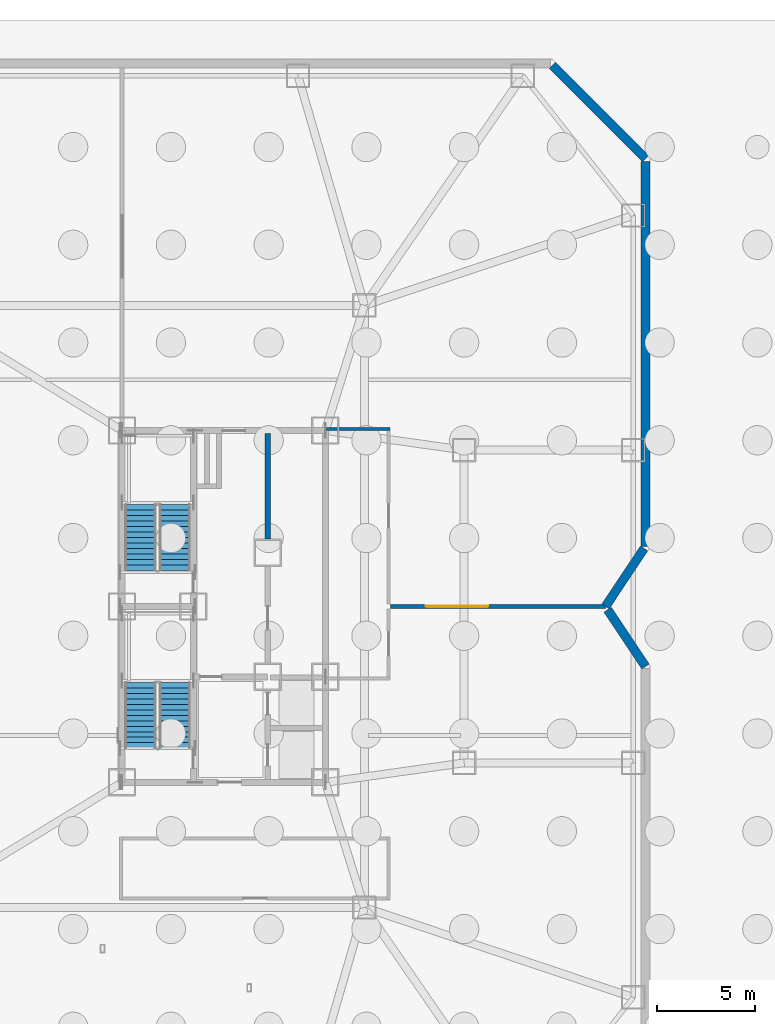
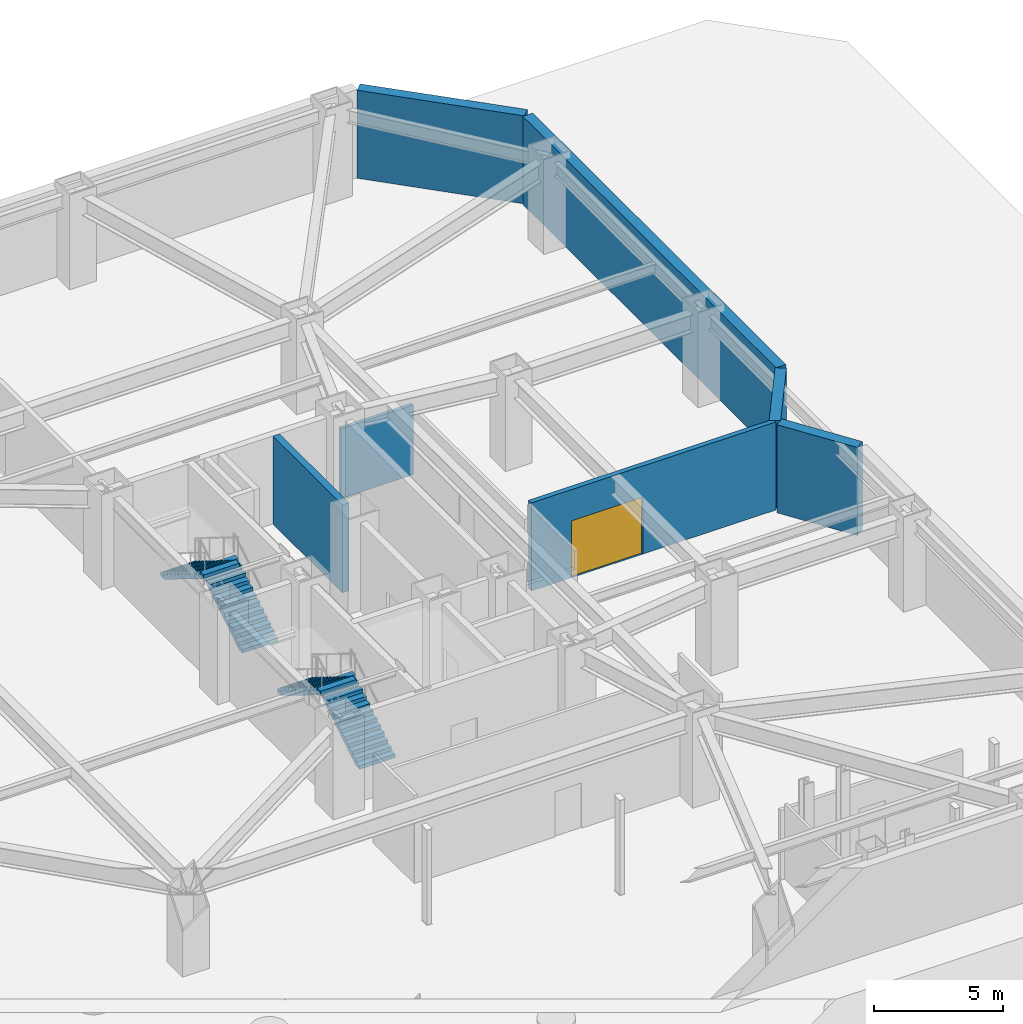
# One storey, part 11 of 15: 7 walls, 4 stair flights, 1 door, 1 opening, 2 elements without a shape of their own.
"""IFC4 building model written with IfcOpenShell, lengths in metres."""

from ifc_helpers import new_model, si_unit, direction, frame, frame_2d, origin, place, context, subcontext, project, spatial, polyline, rectangle, outline, extrude, material, layer, layer_set, type_object, element, fill, aggregate, save


model = new_model("IFC4")

# Units and contexts
model_context = context("Model", 3, precision=1e-05, world=origin(), true_north=direction((0.0, 1.0)))
body_context = subcontext(model_context, "Body", "Model", "MODEL_VIEW")
ifc_project = project(units=[si_unit("LENGTHUNIT", "METRE"), si_unit("AREAUNIT", "SQUARE_METRE"), si_unit("VOLUMEUNIT", "CUBIC_METRE"), si_unit("PLANEANGLEUNIT", "RADIAN"), si_unit("MASSUNIT", "GRAM", prefix="KILO")], contexts=[model_context])

# Site, building, storey
site_placement = place(None, origin())
site = spatial("IfcSite", under=ifc_project, at=site_placement, CompositionType="ELEMENT")
building_placement = place(site_placement, origin())
building = spatial("IfcBuilding", under=site, at=building_placement, Name="Khamvora Tower", CompositionType="ELEMENT")
storey_placement = place(building_placement, frame((0.0, 0.0, -9.0)))
storey = spatial("IfcBuildingStorey", under=building, at=storey_placement, Name="B2", CompositionType="ELEMENT", Elevation=-9.0)

# Walls
ifc_material_1 = material(Name="Concrete C50/60", Category="concrete")
ifc_layer_1 = layer(ifc_material_1, 0.300048828125)
ifc_layer_set_1 = layer_set([ifc_layer_1], Name="Concrete C50/60")
wall_type_1 = type_object("IfcWallType", Name="WAL-CORE-300", PredefinedType="SHEAR", material=ifc_layer_set_1)
wall_1_placement = place(storey_placement, frame((36.449951171875, 31.449951171875, 0.0), z_axis=(0.0, 0.0, 1.0), x_axis=(0.0, 1.0, 0.0)))
element("IfcWall", 1, at=wall_1_placement, inside=storey, type_object=wall_type_1, Name="B2 central core lift bank north wall", PredefinedType="SHEAR", context=body_context, shape_type="SweptSolid", body=[
    extrude(rectangle(XDim=5.39599609375, YDim=0.300048828125, at=frame_2d((2.697998046875, 0.0))), origin(), (0.0, 0.0, 1.0), 4.179931640625),
])
ifc_material_2 = material(Name="Fire-Rated Drywall and Steel Stud", Category="steel")
ifc_layer_2 = layer(ifc_material_2, 0.14990234375)
ifc_layer_set_2 = layer_set([ifc_layer_2], Name="Fire-Rated Drywall and Steel Stud")
wall_type_2 = type_object("IfcWallType", Name="WAL-CORR-150", PredefinedType="STANDARD", material=ifc_layer_set_2)
wall_2_placement = place(storey_placement, frame((42.699951171875, 37.0849609375, 0.0), z_axis=(0.0, 0.0, 1.0), x_axis=(-1.0, 0.0, 0.0)))
element("IfcWall", 2, at=wall_2_placement, inside=storey, type_object=wall_type_2, Name="B2 interior partition wall 009", PredefinedType="STANDARD", context=body_context, shape_type="SweptSolid", body=[
    extrude(rectangle(XDim=3.242919921875, YDim=0.14990234375, at=frame_2d((1.62158203125, 0.0))), origin(), (0.0, 0.0, 1.0), 3.31494140625),
])
ifc_material_3 = material(Name="Concrete C40/50", Category="concrete")
ifc_layer_3 = layer(ifc_material_3, 0.449951171875)
ifc_layer_set_3 = layer_set([ifc_layer_3], Name="Concrete C40/50")
wall_type_3 = type_object("IfcWallType", Name="WAL-RET-450", PredefinedType="USERDEFINED", material=ifc_layer_set_3)
wall_3_placement = place(storey_placement, frame((51.013916015625, 55.66796875, 0.0), z_axis=(0.0, 0.0, 1.0), x_axis=(0.707106781187, -0.707106781187, 0.0)))
element("IfcWall", 3, at=wall_3_placement, inside=storey, type_object=wall_type_3, Name="B2 perimeter retaining wall 08.1", ObjectType="RETAININGWALL", PredefinedType="USERDEFINED", context=body_context, shape_type="SweptSolid", body=[
    extrude(rectangle(XDim=6.733154296875, YDim=0.449951171875, at=frame_2d((3.36669921875, 0.0))), origin(), (0.0, 0.0, 1.0), 4.179931640625),
])
wall_4_placement = place(storey_placement, frame((55.77490234375, 50.756103515625, 0.0), z_axis=(0.0, 0.0, 1.0), x_axis=(0.0, -1.0, 0.0)))
element("IfcWall", 4, at=wall_4_placement, inside=storey, type_object=wall_type_3, Name="B2 perimeter retaining wall 09.1", ObjectType="RETAININGWALL", PredefinedType="USERDEFINED", context=body_context, shape_type="SweptSolid", body=[
    extrude(rectangle(XDim=19.68798828125, YDim=0.449951171875, at=frame_2d((9.843994140625, 0.0))), origin(), (0.0, 0.0, 1.0), 4.179931640625),
])
wall_5_placement = place(storey_placement, frame((55.7099609375, 30.970947265625, 0.0), z_axis=(0.0, 0.0, 1.0), x_axis=(-0.554573947075, -0.832134446604, 0.0)))
element("IfcWall", 5, at=wall_5_placement, inside=storey, type_object=wall_type_3, Name="B2 perimeter retaining wall 10.1", ObjectType="RETAININGWALL", PredefinedType="USERDEFINED", context=body_context, shape_type="SweptSolid", body=[
    extrude(rectangle(XDim=3.5703125, YDim=0.449951171875, at=frame_2d((1.78515625, 0.0))), origin(), (0.0, 0.0, 1.0), 4.179931640625),
])
wall_6_placement = place(storey_placement, frame((53.840087890625, 27.8349609375, 0.0), z_axis=(0.0, 0.0, 1.0), x_axis=(0.554587147378, -0.832125649144, 0.0)))
element("IfcWall", 6, at=wall_6_placement, inside=storey, type_object=wall_type_3, Name="B2 perimeter retaining wall 11.1", ObjectType="RETAININGWALL", PredefinedType="USERDEFINED", context=body_context, shape_type="SweptSolid", body=[
    extrude(rectangle(XDim=3.48876953125, YDim=0.449951171875, at=frame_2d((1.744384765625, 0.0))), origin(), (0.0, 0.0, 1.0), 4.179931640625),
])

# Wall, opening, door
ifc_material_4 = material(Name="Concrete C35/45", Category="concrete")
ifc_layer_4 = layer(ifc_material_4, 0.219970703125)
ifc_layer_set_4 = layer_set([ifc_layer_4], Name="Concrete C35/45")
wall_type_4 = type_object("IfcWallType", Name="WAL-VGATE-220", PredefinedType="STANDARD", material=ifc_layer_set_4)
wall_7_placement = place(storey_placement, frame((42.735107421875, 28.0, 0.0), z_axis=(0.0, 0.0, 1.0), x_axis=(1.0, 0.0, 0.0)))
wall_7 = element("IfcWall", 7, at=wall_7_placement, inside=storey, type_object=wall_type_4, Name="B2 east parking compartment shutter wall", PredefinedType="STANDARD", context=body_context, shape_type="SweptSolid", body=[
    extrude(rectangle(XDim=10.98779296875, YDim=0.219970703125, at=frame_2d((5.493896484375, 0.0))), origin(), (0.0, 0.0, 1.0), 4.179931640625),
])
opening_placement = place(wall_7_placement, frame((1.800048828125, 0.0, 0.0)))
opening = element("IfcOpeningElement", 8, at=opening_placement, cuts=wall_7, Name="Opening VD-03", PredefinedType="OPENING", context=body_context, shape_type="SweptSolid", body=[
    extrude(rectangle(XDim=3.199951171875, YDim=2.699951171875, at=frame_2d((1.60009765625, 1.35009765625))), frame((0.0, 0.119873046875, 0.0), z_axis=(0.0, -1.0, 0.0), x_axis=(1.0, 0.0, 0.0)), (0.0, 0.0, 1.0), 0.239990234375),
])
ifc_material_5 = material(Name="Galvanised Steel S355JR", Category="steel")
door_type = type_object("IfcDoorType", Name="DOR-VEH-3200", OperationType="ROLLINGUP", PredefinedType="GATE", material=ifc_material_5)
door_placement = place(opening_placement, origin())
door = element("IfcDoor", 9, at=door_placement, inside=storey, type_object=door_type, Name="B2 east parking zone security roller shutter", OperationType="ROLLINGUP", OverallHeight=2.699951171875, OverallWidth=3.199951171875, PredefinedType="GATE", context=body_context, shape_type="SweptSolid", body=[
    extrude(rectangle(XDim=3.199951171875, YDim=2.699951171875, at=frame_2d((1.60009765625, 1.35009765625))), frame((0.0, 0.02490234375, 0.0), z_axis=(0.0, -1.0, 0.0), x_axis=(1.0, 0.0, 0.0)), (0.0, 0.0, 1.0), 0.050048828125),
])
fill(opening, door)

# Stair, stair flights
stair_type_1 = type_object("IfcStairType", Name="STR-ST-01", PredefinedType="HALF_TURN_STAIR", material=ifc_material_3)
stair_1_placement = place(storey_placement, origin())
stair_1 = element("IfcStair", 10, at=stair_1_placement, inside=storey, type_object=stair_type_1, Name="B2 South Tower Exit Stair ST-01", PredefinedType="HALF_TURN_STAIR")
stair_flight_type_1 = type_object("IfcStairFlightType", Name="STF-ST-01", PredefinedType="STRAIGHT", material=ifc_material_3)
stair_flight_1_placement = place(storey_placement, frame((31.699951171875, 20.75, 0.0), z_axis=(0.0, 0.0, 1.0), x_axis=(0.0, 1.0, 0.0)))
stair_flight_1 = element("IfcStairFlight", 11, at=stair_flight_1_placement, type_object=stair_flight_type_1, Name="ST-01 flight 1", NumberOfRisers=13, NumberOfTreads=12, PredefinedType="STRAIGHT", RiserHeight=0.173076923, TreadLength=0.28, context=body_context, shape_type="SweptSolid", body=[
    extrude(outline(polyline([(0.0, 0.0), (0.0, 0.173095703125), (0.280029296875, 0.173095703125), (0.280029296875, 0.34619140625), (0.56005859375, 0.34619140625), (0.56005859375, 0.519287109375), (0.840087890625, 0.519287109375), (0.840087890625, 0.6923828125), (1.1201171875, 0.6923828125), (1.1201171875, 0.865478515625), (1.39990234375, 0.865478515625), (1.39990234375, 1.03857421875), (1.679931640625, 1.03857421875), (1.679931640625, 1.21142578125), (1.9599609375, 1.21142578125), (1.9599609375, 1.384521484375), (2.239990234375, 1.384521484375), (2.239990234375, 1.5576171875), (2.52001953125, 1.5576171875), (2.52001953125, 1.730712890625), (2.800048828125, 1.730712890625), (2.800048828125, 1.90380859375), (3.080078125, 1.90380859375), (3.080078125, 2.076904296875), (3.360107421875, 2.076904296875), (3.360107421875, 2.25), (3.360107421875, 1.900634765625), (0.28515625, 0.0), (0.0, 0.0)])), frame((0.0, 0.800048828125, 0.0), z_axis=(0.0, -1.0, 0.0), x_axis=(1.0, 0.0, 0.0)), (0.0, 0.0, 1.0), 1.60009765625),
])
stair_flight_2_placement = place(storey_placement, frame((29.949951171875, 24.110107421875, 2.25), z_axis=(0.0, 0.0, 1.0), x_axis=(0.0, -1.0, 0.0)))
stair_flight_2 = element("IfcStairFlight", 12, at=stair_flight_2_placement, type_object=stair_flight_type_1, Name="ST-01 flight 2", NumberOfRisers=13, NumberOfTreads=12, PredefinedType="STRAIGHT", RiserHeight=0.173076923, TreadLength=0.28, context=body_context, shape_type="SweptSolid", body=[
    extrude(outline(polyline([(0.0, 0.0), (0.0, 0.173095703125), (0.280029296875, 0.173095703125), (0.280029296875, 0.34619140625), (0.56005859375, 0.34619140625), (0.56005859375, 0.519287109375), (0.840087890625, 0.519287109375), (0.840087890625, 0.6923828125), (1.1201171875, 0.6923828125), (1.1201171875, 0.865478515625), (1.39990234375, 0.865478515625), (1.39990234375, 1.03857421875), (1.679931640625, 1.03857421875), (1.679931640625, 1.21142578125), (1.9599609375, 1.21142578125), (1.9599609375, 1.384521484375), (2.239990234375, 1.384521484375), (2.239990234375, 1.5576171875), (2.52001953125, 1.5576171875), (2.52001953125, 1.730712890625), (2.800048828125, 1.730712890625), (2.800048828125, 1.90380859375), (3.080078125, 1.90380859375), (3.080078125, 2.076904296875), (3.360107421875, 2.076904296875), (3.360107421875, 2.25), (3.360107421875, 1.900634765625), (0.28515625, 0.0), (0.0, 0.0)])), frame((0.0, 0.800048828125, 0.0), z_axis=(0.0, -1.0, 0.0), x_axis=(1.0, 0.0, 0.0)), (0.0, 0.0, 1.0), 1.60009765625),
])
aggregate(stair_1, [stair_flight_1, stair_flight_2])

stair_type_2 = type_object("IfcStairType", Name="STR-ST-02", PredefinedType="HALF_TURN_STAIR", material=ifc_material_3)
stair_2_placement = place(storey_placement, origin())
stair_2 = element("IfcStair", 13, at=stair_2_placement, inside=storey, type_object=stair_type_2, Name="B2 North Tower Exit Stair ST-02", PredefinedType="HALF_TURN_STAIR")
stair_flight_type_2 = type_object("IfcStairFlightType", Name="STF-ST-02", PredefinedType="STRAIGHT", material=ifc_material_3)
stair_flight_3_placement = place(storey_placement, frame((31.699951171875, 29.85009765625, 0.0), z_axis=(0.0, 0.0, 1.0), x_axis=(0.0, 1.0, 0.0)))
stair_flight_3 = element("IfcStairFlight", 14, at=stair_flight_3_placement, type_object=stair_flight_type_2, Name="ST-02 flight 1", NumberOfRisers=13, NumberOfTreads=12, PredefinedType="STRAIGHT", RiserHeight=0.173076923, TreadLength=0.28, context=body_context, shape_type="SweptSolid", body=[
    extrude(outline(polyline([(0.0, 0.0), (0.0, 0.173095703125), (0.280029296875, 0.173095703125), (0.280029296875, 0.34619140625), (0.56005859375, 0.34619140625), (0.56005859375, 0.519287109375), (0.840087890625, 0.519287109375), (0.840087890625, 0.6923828125), (1.1201171875, 0.6923828125), (1.1201171875, 0.865478515625), (1.39990234375, 0.865478515625), (1.39990234375, 1.03857421875), (1.679931640625, 1.03857421875), (1.679931640625, 1.21142578125), (1.9599609375, 1.21142578125), (1.9599609375, 1.384521484375), (2.239990234375, 1.384521484375), (2.239990234375, 1.5576171875), (2.52001953125, 1.5576171875), (2.52001953125, 1.730712890625), (2.800048828125, 1.730712890625), (2.800048828125, 1.90380859375), (3.080078125, 1.90380859375), (3.080078125, 2.076904296875), (3.360107421875, 2.076904296875), (3.360107421875, 2.25), (3.360107421875, 1.900634765625), (0.28515625, 0.0), (0.0, 0.0)])), frame((0.0, 0.800048828125, 0.0), z_axis=(0.0, -1.0, 0.0), x_axis=(1.0, 0.0, 0.0)), (0.0, 0.0, 1.0), 1.60009765625),
])
stair_flight_4_placement = place(storey_placement, frame((29.949951171875, 33.2099609375, 2.25), z_axis=(0.0, 0.0, 1.0), x_axis=(0.0, -1.0, 0.0)))
stair_flight_4 = element("IfcStairFlight", 15, at=stair_flight_4_placement, type_object=stair_flight_type_2, Name="ST-02 flight 2", NumberOfRisers=13, NumberOfTreads=12, PredefinedType="STRAIGHT", RiserHeight=0.173076923, TreadLength=0.28, context=body_context, shape_type="SweptSolid", body=[
    extrude(outline(polyline([(0.0, 0.0), (0.0, 0.173095703125), (0.280029296875, 0.173095703125), (0.280029296875, 0.34619140625), (0.56005859375, 0.34619140625), (0.56005859375, 0.519287109375), (0.840087890625, 0.519287109375), (0.840087890625, 0.6923828125), (1.1201171875, 0.6923828125), (1.1201171875, 0.865478515625), (1.39990234375, 0.865478515625), (1.39990234375, 1.03857421875), (1.679931640625, 1.03857421875), (1.679931640625, 1.21142578125), (1.9599609375, 1.21142578125), (1.9599609375, 1.384521484375), (2.239990234375, 1.384521484375), (2.239990234375, 1.5576171875), (2.52001953125, 1.5576171875), (2.52001953125, 1.730712890625), (2.800048828125, 1.730712890625), (2.800048828125, 1.90380859375), (3.080078125, 1.90380859375), (3.080078125, 2.076904296875), (3.360107421875, 2.076904296875), (3.360107421875, 2.25), (3.360107421875, 1.900634765625), (0.28515625, 0.0), (0.0, 0.0)])), frame((0.0, 0.800048828125, 0.0), z_axis=(0.0, -1.0, 0.0), x_axis=(1.0, 0.0, 0.0)), (0.0, 0.0, 1.0), 1.60009765625),
])
aggregate(stair_2, [stair_flight_3, stair_flight_4])

save(model, "model.ifc")
